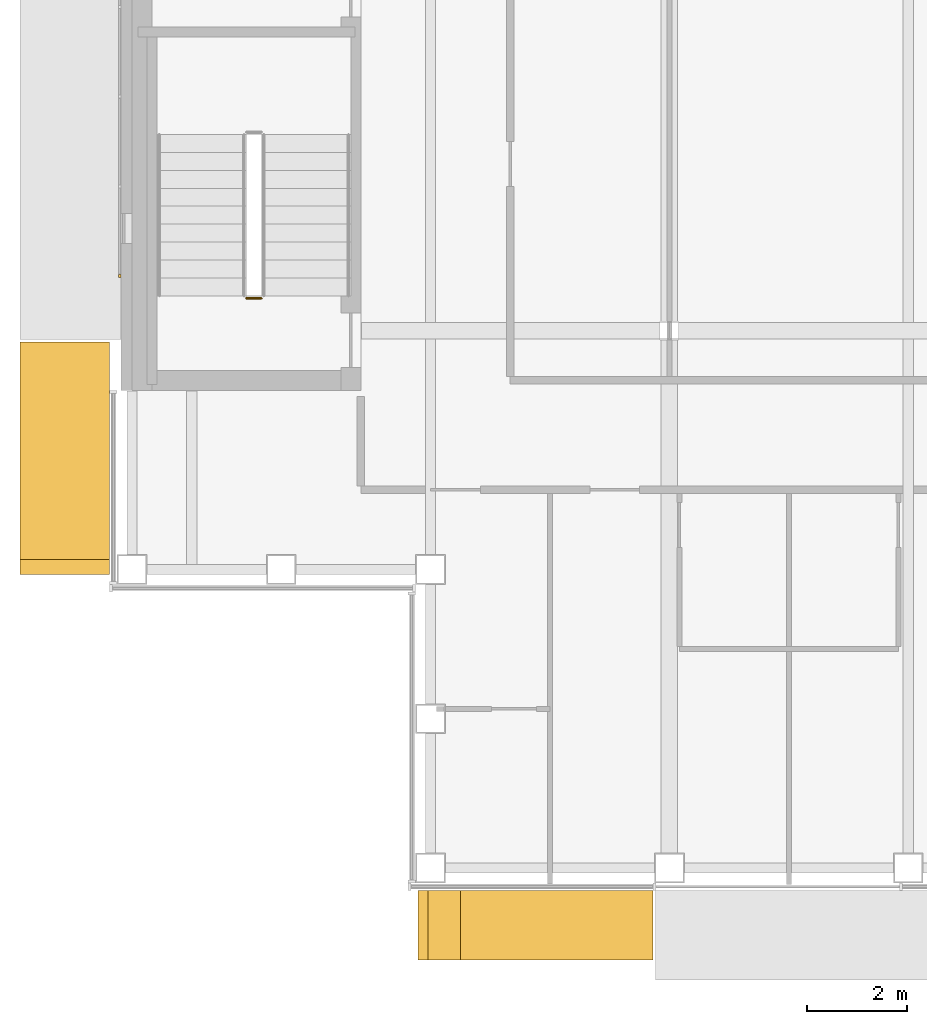
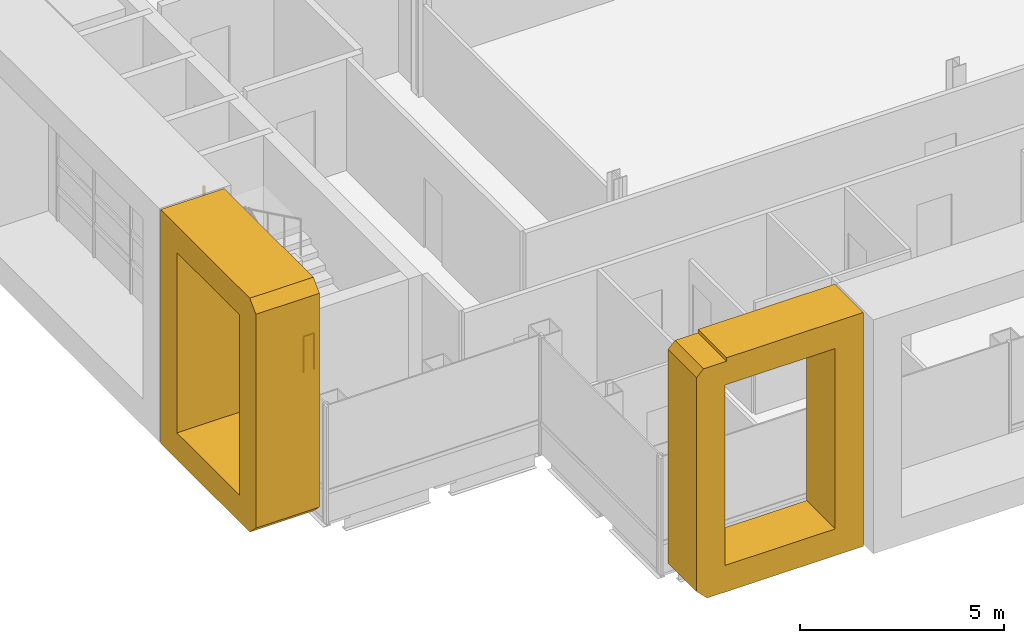
# One storey, part 13 of 21: 3 coverings, 1 railing.
"""IFC4 building model written with IfcOpenShell, lengths in metres."""

import ifcopenshell
import ifcopenshell.guid

model = None  # the IFC model being written
_history = None  # IfcOwnerHistory: only IFC2X3 demands one
_inside = {}  # id of a spatial element -> (the spatial element, [elements in it])
_under = {}  # id of a project, library or spatial element -> (it, [spatial elements below it])
_declared = {}  # id of a project -> (the project, [libraries it declares])
_typed = {}  # id of a type object -> (the type object, [elements of that type])
_made_of = {}  # id of a material, layer set ... -> (it, [elements and type objects made of it])


def new_model(schema):
    """Start an empty IFC model of exactly this schema.

    Asked for "IFC4X3", IfcOpenShell would pick the latest addendum, in which some entities
    have other attributes; the version numbers below select the first issue.
    IFC2X3 requires an IfcOwnerHistory on every rooted entity: one is made here for all.
    """
    global model, _history
    if schema == "IFC4X3":
        model = ifcopenshell.file(schema_version=(4, 3, 0, 0))
    else:
        model = ifcopenshell.file(schema=schema)
    _inside.clear()
    _under.clear()
    _declared.clear()
    _typed.clear()
    _made_of.clear()
    _history = None
    if model.schema == "IFC2X3":
        org = make("IfcOrganization", Name="unknown")
        user = make(
            "IfcPersonAndOrganization",
            ThePerson=make("IfcPerson", FamilyName="unknown"),
            TheOrganization=org,
        )
        app = make(
            "IfcApplication",
            ApplicationDeveloper=org,
            Version="unknown",
            ApplicationFullName="unknown",
            ApplicationIdentifier="unknown",
        )
        _history = make(
            "IfcOwnerHistory",
            OwningUser=user,
            OwningApplication=app,
            ChangeAction="ADDED",
            CreationDate=0,
        )
    return model


def make(cls, **values):
    """One entity of the class cls with the attributes given. An attribute that is None is left unset."""
    return model.create_entity(
        cls, **{name: value for name, value in values.items() if value is not None}
    )


def rooted(cls, **values):
    """An entity with a GlobalId (a new one), such as an element, a storey or a relation."""
    return make(cls, GlobalId=ifcopenshell.guid.new(), OwnerHistory=_history, **values)


def si_unit(unit_type, name, prefix=None):
    """IfcSIUnit, for example si_unit("LENGTHUNIT", "METRE", prefix="MILLI")."""
    return make("IfcSIUnit", UnitType=unit_type, Prefix=prefix, Name=name)


def assignment(units):
    """IfcUnitAssignment: the units of a project."""
    return None if units is None else make("IfcUnitAssignment", Units=units)


def point(xyz):
    """IfcCartesianPoint."""
    return None if xyz is None else make("IfcCartesianPoint", Coordinates=xyz)


def direction(xyz):
    """IfcDirection."""
    return None if xyz is None else make("IfcDirection", DirectionRatios=xyz)


def frame(location, z_axis=None, x_axis=None):
    """IfcAxis2Placement3D, a coordinate frame: its origin and axes. An axis left out is left unset."""
    return make(
        "IfcAxis2Placement3D",
        Location=point(location),
        Axis=direction(z_axis),
        RefDirection=direction(x_axis),
    )


def frame_2d(location, x_axis=None):
    """IfcAxis2Placement2D, a coordinate frame in the plane: its origin and x axis."""
    return make(
        "IfcAxis2Placement2D", Location=point(location), RefDirection=direction(x_axis)
    )


def origin():
    """The frame at (0, 0, 0) with its axes left unset."""
    return frame((0.0, 0.0, 0.0))


def origin_2d():
    """The frame at (0, 0) in the plane with its x axis left unset."""
    return frame_2d((0.0, 0.0))


def place(relative_to, where):
    """IfcLocalPlacement: puts the frame where relative to a parent placement (None: the world)."""
    return make(
        "IfcLocalPlacement", PlacementRelTo=relative_to, RelativePlacement=where
    )


def context(
    kind, dimensions, precision=None, world=None, true_north=None, identifier=None
):
    """IfcGeometricRepresentationContext, for example the 3D "Model" context."""
    return make(
        "IfcGeometricRepresentationContext",
        ContextIdentifier=identifier,
        ContextType=kind,
        CoordinateSpaceDimension=dimensions,
        Precision=precision,
        WorldCoordinateSystem=world,
        TrueNorth=true_north,
    )


def subcontext(parent, identifier, kind, view, scale=None):
    """IfcGeometricRepresentationSubContext, for example "Body" below "Model"."""
    return make(
        "IfcGeometricRepresentationSubContext",
        ContextIdentifier=identifier,
        ContextType=kind,
        ParentContext=parent,
        TargetScale=scale,
        TargetView=view,
    )


def project(units=None, contexts=None):
    """IfcProject with its units and contexts."""
    return rooted(
        "IfcProject",
        Name="project",
        RepresentationContexts=contexts,
        UnitsInContext=assignment(units),
    )


def spatial(cls, under=None, at=None, **own):
    """A site, building, storey or space (cls), placed at a placement, below another one or the project."""
    s = rooted(cls, ObjectPlacement=at, **own)
    if under is not None:
        _under.setdefault(under.id(), (under, []))[1].append(s)
    return s


def polyline(points):
    """IfcPolyline through the points."""
    return make("IfcPolyline", Points=[point(p) for p in points])


def profile(cls, at=None, kind="AREA", **sizes):
    """A parametric profile (cls). Its sizes go by their IFC names, for example OverallWidth=200.0."""
    return make(cls, ProfileType=kind, Position=at, **sizes)


def rectangle(**sizes):
    """IfcRectangleProfileDef."""
    return profile("IfcRectangleProfileDef", **sizes)


def circle(**sizes):
    """IfcCircleProfileDef."""
    return profile("IfcCircleProfileDef", **sizes)


def outline(outer, holes=None, kind="AREA"):
    """IfcArbitraryClosedProfileDef: a profile drawn as a closed curve; with holes, ...WithVoids."""
    if holes is None:
        return make("IfcArbitraryClosedProfileDef", ProfileType=kind, OuterCurve=outer)
    return make(
        "IfcArbitraryProfileDefWithVoids",
        ProfileType=kind,
        OuterCurve=outer,
        InnerCurves=holes,
    )


def extrude(swept, where, along, depth):
    """IfcExtrudedAreaSolid: the profile swept, set in the frame where, extruded along a direction by depth."""
    return make(
        "IfcExtrudedAreaSolid",
        SweptArea=swept,
        Position=where,
        ExtrudedDirection=direction(along),
        Depth=depth,
    )


def shape(context_of_items, identifier, shape_type, items):
    """IfcShapeRepresentation: the items that make up one representation, for example the "Body"."""
    return make(
        "IfcShapeRepresentation",
        ContextOfItems=context_of_items,
        RepresentationIdentifier=identifier,
        RepresentationType=shape_type,
        Items=items,
    )


def material(Name=None, Category=None):
    """IfcMaterial."""
    return make("IfcMaterial", Name=Name, Category=Category)


def made_of(thing, what):
    """Note that an element or type object is made of a material, layer set ...; save() writes the relation."""
    if what is not None:
        _made_of.setdefault(what.id(), (what, []))[1].append(thing)
    return thing


def type_object(cls, material=None, **own):
    """A type object (cls), such as IfcWallType, which elements share."""
    return made_of(rooted(cls, **own), material)


def element(
    cls,
    number,
    at=None,
    inside=None,
    cuts=None,
    type_object=None,
    material=None,
    context=None,
    identifier="Body",
    shape_type=None,
    held_by="IfcProductDefinitionShape",
    body=None,
    shapes=None,
    **own,
):
    """One element of the class cls, such as IfcWall. Its Tag is "e" and its number.

    at: its placement. inside: the storey or other place that contains it. cuts: it is an
    opening in that element (IfcRelVoidsElement). A single representation is given by context,
    identifier, shape_type and body (its items); several are given by shapes. held_by: the class
    of the entity that holds the representations. save() writes the other relations.
    """
    e = rooted(cls, Tag="e%d" % number, ObjectPlacement=at, **own)
    if body is not None:
        shapes = [shape(context, identifier, shape_type, body)]
    if shapes is not None:
        e.Representation = make(held_by, Representations=shapes)
    if inside is not None:
        _inside.setdefault(inside.id(), (inside, []))[1].append(e)
    if cuts is not None:
        rooted(
            "IfcRelVoidsElement", RelatingBuildingElement=cuts, RelatedOpeningElement=e
        )
    if type_object is not None:
        _typed.setdefault(type_object.id(), (type_object, []))[1].append(e)
    return made_of(e, material)


def aggregate(whole, parts):
    """IfcRelAggregates: a whole, such as a stair, and the parts it consists of."""
    return rooted("IfcRelAggregates", RelatingObject=whole, RelatedObjects=parts)


def save(model, path):
    """Write the relations noted so far, then the file.

    IfcRelAggregates (storeys below a building ...), IfcRelContainedInSpatialStructure (elements
    in a storey), IfcRelDefinesByType, IfcRelAssociatesMaterial and IfcRelDeclares: one each for
    every whole, place, type object, material and project.
    """
    for whole, parts in _under.values():
        aggregate(whole, parts)
    for where, things in _inside.values():
        rooted(
            "IfcRelContainedInSpatialStructure",
            RelatedElements=things,
            RelatingStructure=where,
        )
    for kind, things in _typed.values():
        rooted("IfcRelDefinesByType", RelatedObjects=things, RelatingType=kind)
    for what, things in _made_of.values():
        rooted("IfcRelAssociatesMaterial", RelatedObjects=things, RelatingMaterial=what)
    for by, libraries in _declared.values():
        rooted("IfcRelDeclares", RelatingContext=by, RelatedDefinitions=libraries)
    model.write(path)


model = new_model("IFC4")

# Units and contexts
model_context = context("Model", 3, precision=1e-05, world=origin(), true_north=direction((0.0, 1.0)))
body_context = subcontext(model_context, "Body", "Model", "MODEL_VIEW")
ifc_project = project(units=[si_unit("LENGTHUNIT", "METRE"), si_unit("AREAUNIT", "SQUARE_METRE"), si_unit("VOLUMEUNIT", "CUBIC_METRE"), si_unit("PLANEANGLEUNIT", "RADIAN"), si_unit("MASSUNIT", "GRAM", prefix="KILO")], contexts=[model_context])

# Site, building, storey
site_placement = place(None, origin())
site = spatial("IfcSite", under=ifc_project, at=site_placement, CompositionType="ELEMENT")
building_placement = place(site_placement, origin())
building = spatial("IfcBuilding", under=site, at=building_placement, Name="Cobrizo Arcos Hotel Tower", CompositionType="ELEMENT")
storey_placement = place(building_placement, frame((0.0, 0.0, 248.0)))
storey = spatial("IfcBuildingStorey", under=building, at=storey_placement, Name="L65", CompositionType="ELEMENT", Elevation=248.0)

# Coverings
ifc_material_1 = material(Name="Aluminium 6063-T6 anodised bronze", Category="aluminium")
covering_type_1 = type_object("IfcCoveringType", Name="FIN-F 1400", PredefinedType="CLADDING", material=ifc_material_1)
covering_1_placement = place(storey_placement, frame((-14.64990234375, -20.85009765625, 0.0), z_axis=(0.0, -1.0, 0.0), x_axis=(1.0, 0.0, 0.0)))
element("IfcCovering", 1, at=covering_1_placement, inside=storey, type_object=covering_type_1, Name="Fin frame 411", PredefinedType="CLADDING", context=body_context, shape_type="SweptSolid", body=[
    extrude(outline(polyline([(4.72509765625, 7.0), (0.85205078125, 7.0), (0.85205078125, 6.89794921875), (0.197998046875, 6.89794921875), (0.0, 6.699951171875), (0.0, 0.300048828125), (0.300048828125, 0.0), (4.72509765625, 0.0), (4.72509765625, 7.0)]), holes=[polyline([(3.925048828125, 0.800048828125), (0.800048828125, 0.800048828125), (0.800048828125, 6.199951171875), (3.925048828125, 6.199951171875), (3.925048828125, 0.800048828125)])]), origin(), (0.0, 0.0, 1.0), 1.39990234375),
])
covering_type_2 = type_object("IfcCoveringType", Name="FIN-F 1800", PredefinedType="CLADDING", material=ifc_material_1)
covering_2_placement = place(storey_placement, frame((-20.85009765625, -9.824951171875, 0.0), z_axis=(-1.0, 0.0, 0.0), x_axis=(0.0, -1.0, 0.0)))
element("IfcCovering", 2, at=covering_2_placement, inside=storey, type_object=covering_type_2, Name="Fin frame 430", PredefinedType="CLADDING", context=body_context, shape_type="SweptSolid", body=[
    extrude(outline(polyline([(0.0, 7.0), (0.0, 0.0), (4.375, 0.0), (4.675048828125, 0.300048828125), (4.675048828125, 6.699951171875), (4.375, 7.0), (0.0, 7.0)]), holes=[polyline([(3.875, 0.800048828125), (0.800048828125, 0.800048828125), (0.800048828125, 6.199951171875), (3.875, 6.199951171875), (3.875, 0.800048828125)])]), origin(), (0.0, 0.0, 1.0), 1.7998046875),
])
ifc_material_2 = material(Name="Aluminium 6063-T6 anodised pale", Category="aluminium")
covering_type_3 = type_object("IfcCoveringType", Name="RS-2 rainscreen rib 60x50", PredefinedType="CLADDING", material=ifc_material_2)
covering_3_placement = place(storey_placement, frame((-20.64990234375, -8.5, 0.800048828125), z_axis=(0.0, 0.0, 1.0), x_axis=(0.0, -1.0, 0.0)))
element("IfcCovering", 3, at=covering_3_placement, inside=storey, type_object=covering_type_3, Name="Rainscreen rib 330", PredefinedType="CLADDING", context=body_context, shape_type="SweptSolid", body=[
    extrude(rectangle(XDim=0.06005859375, YDim=0.050048828125, at=origin_2d()), origin(), (0.0, 0.0, 1.0), 5.39990234375),
])

# Railing
ifc_material_3 = material(Name="Stainless steel railing", Category="steel")
railing_type = type_object("IfcRailingType", Name="Stair guard 1100", PredefinedType="GUARDRAIL", material=ifc_material_3)
railing_placement = place(storey_placement, frame((-17.800048828125, -8.949951171875, 0.0)))
element("IfcRailing", 4, at=railing_placement, inside=storey, type_object=railing_type, Name="L65 ST-W stair guard 4", PredefinedType="GUARDRAIL", context=body_context, shape_type="SweptSolid", body=[
    extrude(circle(Radius=0.02392578125, at=origin_2d()), frame((0.0, 0.0, 1.076171875), z_axis=(-1.0, 0.0, 0.0), x_axis=(0.0, -1.0, 0.0)), (0.0, 0.0, 1.0), 0.300048828125),
    extrude(circle(Radius=0.02099609375, at=origin_2d()), origin(), (0.0, 0.0, 1.0), 1.052001953125),
    extrude(circle(Radius=0.02099609375, at=origin_2d()), frame((-0.300048828125, 0.0, 0.0)), (0.0, 0.0, 1.0), 1.052001953125),
])

save(model, "model.ifc")
